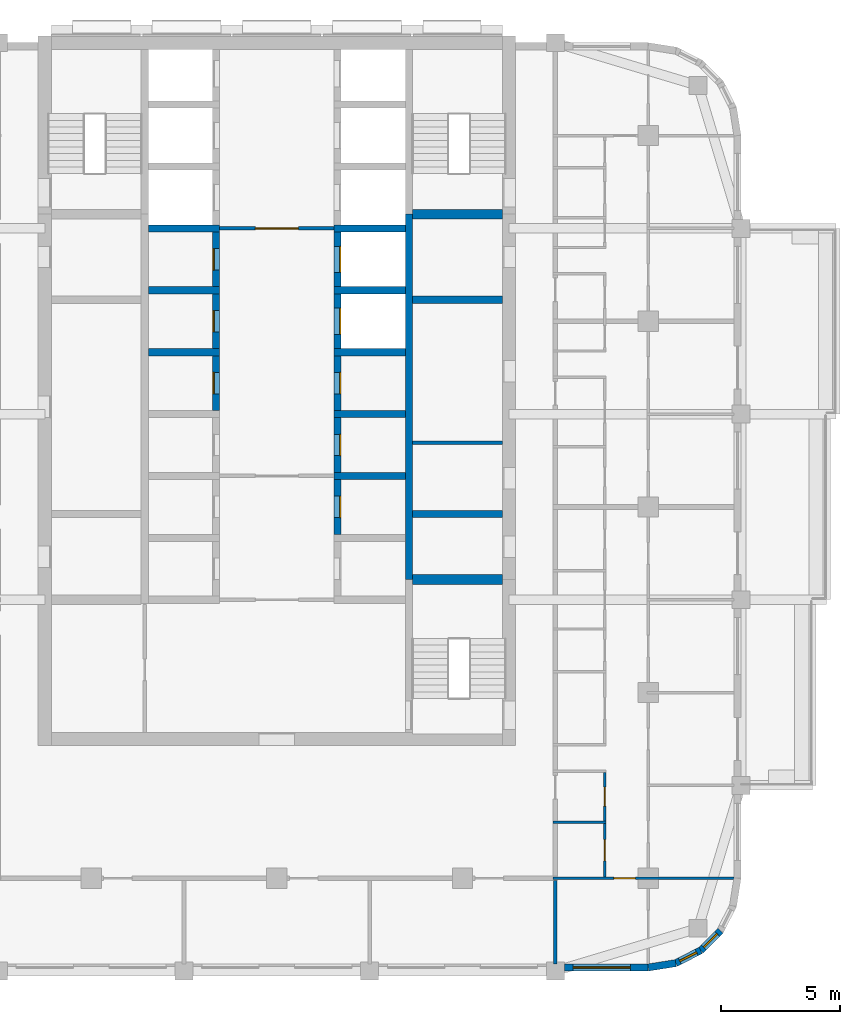
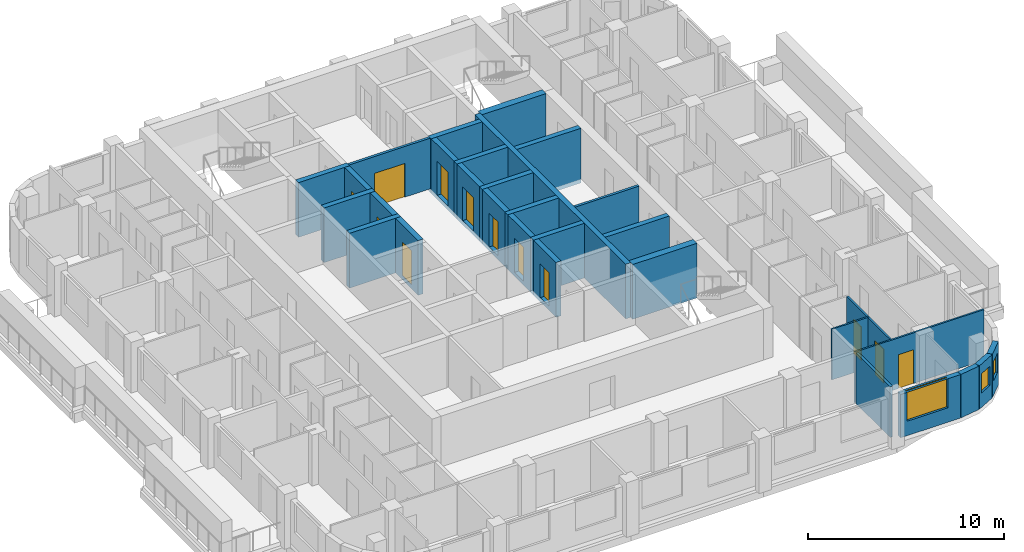
# One storey, part 5 of 13: 31 walls, 12 doors, 3 windows, 15 openings.
"""IFC4 building model written with IfcOpenShell, lengths in metres."""

import ifcopenshell
import ifcopenshell.guid

model = None  # the IFC model being written
_history = None  # IfcOwnerHistory: only IFC2X3 demands one
_inside = {}  # id of a spatial element -> (the spatial element, [elements in it])
_under = {}  # id of a project, library or spatial element -> (it, [spatial elements below it])
_declared = {}  # id of a project -> (the project, [libraries it declares])
_typed = {}  # id of a type object -> (the type object, [elements of that type])
_made_of = {}  # id of a material, layer set ... -> (it, [elements and type objects made of it])


def new_model(schema):
    """Start an empty IFC model of exactly this schema.

    Asked for "IFC4X3", IfcOpenShell would pick the latest addendum, in which some entities
    have other attributes; the version numbers below select the first issue.
    IFC2X3 requires an IfcOwnerHistory on every rooted entity: one is made here for all.
    """
    global model, _history
    if schema == "IFC4X3":
        model = ifcopenshell.file(schema_version=(4, 3, 0, 0))
    else:
        model = ifcopenshell.file(schema=schema)
    _inside.clear()
    _under.clear()
    _declared.clear()
    _typed.clear()
    _made_of.clear()
    _history = None
    if model.schema == "IFC2X3":
        org = make("IfcOrganization", Name="unknown")
        user = make(
            "IfcPersonAndOrganization",
            ThePerson=make("IfcPerson", FamilyName="unknown"),
            TheOrganization=org,
        )
        app = make(
            "IfcApplication",
            ApplicationDeveloper=org,
            Version="unknown",
            ApplicationFullName="unknown",
            ApplicationIdentifier="unknown",
        )
        _history = make(
            "IfcOwnerHistory",
            OwningUser=user,
            OwningApplication=app,
            ChangeAction="ADDED",
            CreationDate=0,
        )
    return model


def make(cls, **values):
    """One entity of the class cls with the attributes given. An attribute that is None is left unset."""
    return model.create_entity(
        cls, **{name: value for name, value in values.items() if value is not None}
    )


def rooted(cls, **values):
    """An entity with a GlobalId (a new one), such as an element, a storey or a relation."""
    return make(cls, GlobalId=ifcopenshell.guid.new(), OwnerHistory=_history, **values)


def si_unit(unit_type, name, prefix=None):
    """IfcSIUnit, for example si_unit("LENGTHUNIT", "METRE", prefix="MILLI")."""
    return make("IfcSIUnit", UnitType=unit_type, Prefix=prefix, Name=name)


def assignment(units):
    """IfcUnitAssignment: the units of a project."""
    return None if units is None else make("IfcUnitAssignment", Units=units)


def point(xyz):
    """IfcCartesianPoint."""
    return None if xyz is None else make("IfcCartesianPoint", Coordinates=xyz)


def direction(xyz):
    """IfcDirection."""
    return None if xyz is None else make("IfcDirection", DirectionRatios=xyz)


def frame(location, z_axis=None, x_axis=None):
    """IfcAxis2Placement3D, a coordinate frame: its origin and axes. An axis left out is left unset."""
    return make(
        "IfcAxis2Placement3D",
        Location=point(location),
        Axis=direction(z_axis),
        RefDirection=direction(x_axis),
    )


def frame_2d(location, x_axis=None):
    """IfcAxis2Placement2D, a coordinate frame in the plane: its origin and x axis."""
    return make(
        "IfcAxis2Placement2D", Location=point(location), RefDirection=direction(x_axis)
    )


def origin():
    """The frame at (0, 0, 0) with its axes left unset."""
    return frame((0.0, 0.0, 0.0))


def place(relative_to, where):
    """IfcLocalPlacement: puts the frame where relative to a parent placement (None: the world)."""
    return make(
        "IfcLocalPlacement", PlacementRelTo=relative_to, RelativePlacement=where
    )


def context(
    kind, dimensions, precision=None, world=None, true_north=None, identifier=None
):
    """IfcGeometricRepresentationContext, for example the 3D "Model" context."""
    return make(
        "IfcGeometricRepresentationContext",
        ContextIdentifier=identifier,
        ContextType=kind,
        CoordinateSpaceDimension=dimensions,
        Precision=precision,
        WorldCoordinateSystem=world,
        TrueNorth=true_north,
    )


def subcontext(parent, identifier, kind, view, scale=None):
    """IfcGeometricRepresentationSubContext, for example "Body" below "Model"."""
    return make(
        "IfcGeometricRepresentationSubContext",
        ContextIdentifier=identifier,
        ContextType=kind,
        ParentContext=parent,
        TargetScale=scale,
        TargetView=view,
    )


def project(units=None, contexts=None):
    """IfcProject with its units and contexts."""
    return rooted(
        "IfcProject",
        Name="project",
        RepresentationContexts=contexts,
        UnitsInContext=assignment(units),
    )


def spatial(cls, under=None, at=None, **own):
    """A site, building, storey or space (cls), placed at a placement, below another one or the project."""
    s = rooted(cls, ObjectPlacement=at, **own)
    if under is not None:
        _under.setdefault(under.id(), (under, []))[1].append(s)
    return s


def profile(cls, at=None, kind="AREA", **sizes):
    """A parametric profile (cls). Its sizes go by their IFC names, for example OverallWidth=200.0."""
    return make(cls, ProfileType=kind, Position=at, **sizes)


def rectangle(**sizes):
    """IfcRectangleProfileDef."""
    return profile("IfcRectangleProfileDef", **sizes)


def extrude(swept, where, along, depth):
    """IfcExtrudedAreaSolid: the profile swept, set in the frame where, extruded along a direction by depth."""
    return make(
        "IfcExtrudedAreaSolid",
        SweptArea=swept,
        Position=where,
        ExtrudedDirection=direction(along),
        Depth=depth,
    )


def shape(context_of_items, identifier, shape_type, items):
    """IfcShapeRepresentation: the items that make up one representation, for example the "Body"."""
    return make(
        "IfcShapeRepresentation",
        ContextOfItems=context_of_items,
        RepresentationIdentifier=identifier,
        RepresentationType=shape_type,
        Items=items,
    )


def material(Name=None, Category=None):
    """IfcMaterial."""
    return make("IfcMaterial", Name=Name, Category=Category)


def layer(
    of_material, thickness, ventilated=None, Name=None, Category=None, Priority=None
):
    """IfcMaterialLayer: one layer of a wall or slab, of a material (None: an air gap)."""
    return make(
        "IfcMaterialLayer",
        Material=of_material,
        LayerThickness=thickness,
        IsVentilated=ventilated,
        Name=Name,
        Category=Category,
        Priority=Priority,
    )


def layer_set(layers, Name=None):
    """IfcMaterialLayerSet."""
    return make("IfcMaterialLayerSet", MaterialLayers=layers, LayerSetName=Name)


def made_of(thing, what):
    """Note that an element or type object is made of a material, layer set ...; save() writes the relation."""
    if what is not None:
        _made_of.setdefault(what.id(), (what, []))[1].append(thing)
    return thing


def type_object(cls, material=None, **own):
    """A type object (cls), such as IfcWallType, which elements share."""
    return made_of(rooted(cls, **own), material)


def element(
    cls,
    number,
    at=None,
    inside=None,
    cuts=None,
    type_object=None,
    material=None,
    context=None,
    identifier="Body",
    shape_type=None,
    held_by="IfcProductDefinitionShape",
    body=None,
    shapes=None,
    **own,
):
    """One element of the class cls, such as IfcWall. Its Tag is "e" and its number.

    at: its placement. inside: the storey or other place that contains it. cuts: it is an
    opening in that element (IfcRelVoidsElement). A single representation is given by context,
    identifier, shape_type and body (its items); several are given by shapes. held_by: the class
    of the entity that holds the representations. save() writes the other relations.
    """
    e = rooted(cls, Tag="e%d" % number, ObjectPlacement=at, **own)
    if body is not None:
        shapes = [shape(context, identifier, shape_type, body)]
    if shapes is not None:
        e.Representation = make(held_by, Representations=shapes)
    if inside is not None:
        _inside.setdefault(inside.id(), (inside, []))[1].append(e)
    if cuts is not None:
        rooted(
            "IfcRelVoidsElement", RelatingBuildingElement=cuts, RelatedOpeningElement=e
        )
    if type_object is not None:
        _typed.setdefault(type_object.id(), (type_object, []))[1].append(e)
    return made_of(e, material)


def fill(opening, filler):
    """IfcRelFillsElement: the door or window that sits in an opening."""
    return rooted(
        "IfcRelFillsElement",
        RelatingOpeningElement=opening,
        RelatedBuildingElement=filler,
    )


def aggregate(whole, parts):
    """IfcRelAggregates: a whole, such as a stair, and the parts it consists of."""
    return rooted("IfcRelAggregates", RelatingObject=whole, RelatedObjects=parts)


def save(model, path):
    """Write the relations noted so far, then the file.

    IfcRelAggregates (storeys below a building ...), IfcRelContainedInSpatialStructure (elements
    in a storey), IfcRelDefinesByType, IfcRelAssociatesMaterial and IfcRelDeclares: one each for
    every whole, place, type object, material and project.
    """
    for whole, parts in _under.values():
        aggregate(whole, parts)
    for where, things in _inside.values():
        rooted(
            "IfcRelContainedInSpatialStructure",
            RelatedElements=things,
            RelatingStructure=where,
        )
    for kind, things in _typed.values():
        rooted("IfcRelDefinesByType", RelatedObjects=things, RelatingType=kind)
    for what, things in _made_of.values():
        rooted("IfcRelAssociatesMaterial", RelatedObjects=things, RelatingMaterial=what)
    for by, libraries in _declared.values():
        rooted("IfcRelDeclares", RelatingContext=by, RelatedDefinitions=libraries)
    model.write(path)


model = new_model("IFC4")

# Units and contexts
model_context = context("Model", 3, precision=1e-05, world=origin(), true_north=direction((0.0, 1.0)))
body_context = subcontext(model_context, "Body", "Model", "MODEL_VIEW")
ifc_project = project(units=[si_unit("LENGTHUNIT", "METRE"), si_unit("AREAUNIT", "SQUARE_METRE"), si_unit("VOLUMEUNIT", "CUBIC_METRE"), si_unit("PLANEANGLEUNIT", "RADIAN"), si_unit("MASSUNIT", "GRAM", prefix="KILO")], contexts=[model_context])

# Site, building, storey
site_placement = place(None, origin())
site = spatial("IfcSite", under=ifc_project, at=site_placement, CompositionType="ELEMENT")
building_placement = place(site_placement, origin())
building = spatial("IfcBuilding", under=site, at=building_placement, Name="Ludao Terraces", CompositionType="ELEMENT")
storey_placement = place(building_placement, frame((0.0, 0.0, 152.0)))
storey = spatial("IfcBuildingStorey", under=building, at=storey_placement, Name="L41", CompositionType="ELEMENT", Elevation=152.0)

# Wall, opening, window
ifc_material_1 = material(Name="Granite cladding", Category="masonry")
ifc_layer_1 = layer(ifc_material_1, 0.0400390625, Category="stone")
ifc_material_2 = material(Name="Mineral wool")
ifc_layer_2 = layer(ifc_material_2, 0.06005859375)
ifc_material_3 = material(Name="Concrete C40", Category="concrete")
ifc_layer_3 = layer(ifc_material_3, 0.199951171875, Category="concrete")
ifc_layer_set_1 = layer_set([ifc_layer_1, ifc_layer_2, ifc_layer_3], Name="ENV Stone-clad wall 300")
wall_type_1 = type_object("IfcWallType", Name="ENV Stone-clad wall 300", PredefinedType="SOLIDWALL", material=ifc_layer_set_1)
wall_1_placement = place(storey_placement, frame((97.074951171875, 45.64990234375, 0.0), z_axis=(0.0, 0.0, 1.0), x_axis=(1.0, 0.0, 0.0)))
wall_1 = element("IfcWall", 1, at=wall_1_placement, inside=storey, type_object=wall_type_1, Name="EW-L41-S5", PredefinedType="SOLIDWALL", context=body_context, shape_type="SweptSolid", body=[
    extrude(rectangle(XDim=3.525146484375, YDim=0.300048828125, at=frame_2d((1.7626953125, 0.0))), origin(), (0.0, 0.0, 1.0), 2.699951171875),
])
opening_1_placement = place(wall_1_placement, frame((0.375, 0.0, 0.89990234375)))
opening_1 = element("IfcOpeningElement", 2, at=opening_1_placement, cuts=wall_1, Name="Opening W1", PredefinedType="OPENING", context=body_context, shape_type="SweptSolid", body=[
    extrude(rectangle(XDim=2.39990234375, YDim=1.800048828125, at=frame_2d((1.199951171875, 0.89990234375))), frame((0.0, 0.16015625, 0.0), z_axis=(0.0, -1.0, 0.0), x_axis=(1.0, 0.0, 0.0)), (0.0, 0.0, 1.0), 0.320068359375),
])
ifc_material_4 = material(Name="Clear glass in aluminium frame", Category="aluminium")
ifc_layer_4 = layer(ifc_material_4, 0.06005859375)
ifc_layer_set_2 = layer_set([ifc_layer_4], Name="ENV Window W1 2400x1800")
window_type_1 = type_object("IfcWindowType", Name="ENV Window W1 2400x1800", PartitioningType="DOUBLE_PANEL_VERTICAL", PredefinedType="WINDOW", material=ifc_layer_set_2)
window_1_placement = place(opening_1_placement, origin())
window_1 = element("IfcWindow", 3, at=window_1_placement, inside=storey, type_object=window_type_1, Name="W-L41-S5-1", OverallHeight=1.800048828125, OverallWidth=2.39990234375, PartitioningType="DOUBLE_PANEL_VERTICAL", PredefinedType="WINDOW", context=body_context, shape_type="SweptSolid", body=[
    extrude(rectangle(XDim=2.39990234375, YDim=1.800048828125, at=frame_2d((1.199951171875, 0.89990234375))), frame((0.0, 0.030029296875, 0.0), z_axis=(0.0, -1.0, 0.0), x_axis=(1.0, 0.0, 0.0)), (0.0, 0.0, 1.0), 0.06005859375),
])
fill(opening_1, window_1)

# Wall
wall_2_placement = place(storey_placement, frame((100.60009765625, 45.64990234375, 0.0), z_axis=(0.0, 0.0, 1.0), x_axis=(0.987678452879, 0.156496880861, 0.0)))
element("IfcWall", 4, at=wall_2_placement, inside=storey, type_object=wall_type_1, Name="EW-L41-SE1", PredefinedType="SOLIDWALL", context=body_context, shape_type="SweptSolid", body=[
    extrude(rectangle(XDim=1.173095703125, YDim=0.300048828125, at=frame_2d((0.58642578125, 0.0))), origin(), (0.0, 0.0, 1.0), 2.699951171875),
])

# Wall, opening, window
wall_3_placement = place(storey_placement, frame((101.7587890625, 45.83349609375, 0.0), z_axis=(0.0, 0.0, 1.0), x_axis=(0.890988677504, 0.454025524128, 0.0)))
wall_3 = element("IfcWall", 5, at=wall_3_placement, inside=storey, type_object=wall_type_1, Name="EW-L41-SE2", PredefinedType="SOLIDWALL", context=body_context, shape_type="SweptSolid", body=[
    extrude(rectangle(XDim=1.17333984375, YDim=0.300048828125, at=frame_2d((0.586669921875, 0.0))), origin(), (0.0, 0.0, 1.0), 2.699951171875),
])
opening_2_placement = place(wall_3_placement, frame((0.1865234375, 0.0, 0.89990234375)))
opening_2 = element("IfcOpeningElement", 6, at=opening_2_placement, cuts=wall_3, Name="Opening W3", PredefinedType="OPENING", context=body_context, shape_type="SweptSolid", body=[
    extrude(rectangle(XDim=0.800048828125, YDim=1.199951171875, at=frame_2d((0.39990234375, 0.60009765625))), frame((0.0, 0.16015625, 0.0), z_axis=(0.0, -1.0, 0.0), x_axis=(1.0, 0.0, 0.0)), (0.0, 0.0, 1.0), 0.320068359375),
])
ifc_layer_5 = layer(ifc_material_4, 0.06005859375)
ifc_layer_set_3 = layer_set([ifc_layer_5], Name="ENV Window W3 800x1200")
window_type_2 = type_object("IfcWindowType", Name="ENV Window W3 800x1200", PartitioningType="SINGLE_PANEL", PredefinedType="WINDOW", material=ifc_layer_set_3)
window_2_placement = place(opening_2_placement, origin())
window_2 = element("IfcWindow", 7, at=window_2_placement, inside=storey, type_object=window_type_2, Name="W-L41-SE2", OverallHeight=1.199951171875, OverallWidth=0.800048828125, PartitioningType="SINGLE_PANEL", PredefinedType="WINDOW", context=body_context, shape_type="SweptSolid", body=[
    extrude(rectangle(XDim=0.800048828125, YDim=1.199951171875, at=frame_2d((0.39990234375, 0.60009765625))), frame((0.0, 0.030029296875, 0.0), z_axis=(0.0, -1.0, 0.0), x_axis=(1.0, 0.0, 0.0)), (0.0, 0.0, 1.0), 0.06005859375),
])
fill(opening_2, window_2)

wall_4_placement = place(storey_placement, frame((102.80419921875, 46.3662109375, 0.0), z_axis=(0.0, 0.0, 1.0), x_axis=(0.707106781187, 0.707106781187, 0.0)))
wall_4 = element("IfcWall", 8, at=wall_4_placement, inside=storey, type_object=wall_type_1, Name="EW-L41-SE3", PredefinedType="SOLIDWALL", context=body_context, shape_type="SweptSolid", body=[
    extrude(rectangle(XDim=1.173095703125, YDim=0.300048828125, at=frame_2d((0.58642578125, 0.0))), origin(), (0.0, 0.0, 1.0), 2.699951171875),
])
opening_3_placement = place(wall_4_placement, frame((0.1865234375, 0.0, 0.89990234375)))
opening_3 = element("IfcOpeningElement", 9, at=opening_3_placement, cuts=wall_4, Name="Opening W3", PredefinedType="OPENING", context=body_context, shape_type="SweptSolid", body=[
    extrude(rectangle(XDim=0.800048828125, YDim=1.199951171875, at=frame_2d((0.39990234375, 0.60009765625))), frame((0.0, 0.16015625, 0.0), z_axis=(0.0, -1.0, 0.0), x_axis=(1.0, 0.0, 0.0)), (0.0, 0.0, 1.0), 0.320068359375),
])
window_3_placement = place(opening_3_placement, origin())
window_3 = element("IfcWindow", 10, at=window_3_placement, inside=storey, type_object=window_type_2, Name="W-L41-SE3", OverallHeight=1.199951171875, OverallWidth=0.800048828125, PartitioningType="SINGLE_PANEL", PredefinedType="WINDOW", context=body_context, shape_type="SweptSolid", body=[
    extrude(rectangle(XDim=0.800048828125, YDim=1.199951171875, at=frame_2d((0.39990234375, 0.60009765625))), frame((0.0, 0.030029296875, 0.0), z_axis=(0.0, -1.0, 0.0), x_axis=(1.0, 0.0, 0.0)), (0.0, 0.0, 1.0), 0.06005859375),
])
fill(opening_3, window_3)

# Wall
ifc_material_5 = material(Name="Fire-rated gypsum plasterboard", Category="gypsum")
ifc_layer_6 = layer(ifc_material_5, 0.012451171875, Category="gypsum")
ifc_layer_7 = layer(ifc_material_2, 0.10009765625, Name="insulation")
ifc_material_6 = material(Name="Steel Q235", Category="steel")
ifc_layer_8 = layer(ifc_material_6, 0.02490234375, Name="stud")
ifc_layer_9 = layer(ifc_material_5, 0.012451171875, Category="gypsum")
ifc_layer_set_4 = layer_set([ifc_layer_6, ifc_layer_7, ifc_layer_8, ifc_layer_9], Name="INT Core partition 150")
wall_type_2 = type_object("IfcWallType", Name="INT Core partition 150", PredefinedType="PARTITIONING", material=ifc_layer_set_4)
wall_5_placement = place(storey_placement, frame((90.7001953125, 67.699951171875, 0.0), z_axis=(0.0, 0.0, 1.0), x_axis=(1.0, 0.0, 0.0)))
element("IfcWall", 11, at=wall_5_placement, inside=storey, type_object=wall_type_2, Name="PW-L41-PW027", PredefinedType="PARTITIONING", context=body_context, shape_type="SweptSolid", body=[
    extrude(rectangle(XDim=3.77490234375, YDim=0.14990234375, at=frame_2d((1.887451171875, 0.0))), origin(), (0.0, 0.0, 1.0), 3.14990234375),
])

# Wall, opening, door
wall_6_placement = place(storey_placement, frame((82.60009765625, 76.699951171875, 0.0), z_axis=(0.0, 0.0, 1.0), x_axis=(1.0, 0.0, 0.0)))
wall_6 = element("IfcWall", 12, at=wall_6_placement, inside=storey, type_object=wall_type_2, Name="PW-L41-PW040", PredefinedType="PARTITIONING", context=body_context, shape_type="SweptSolid", body=[
    extrude(rectangle(XDim=4.800048828125, YDim=0.14990234375, at=frame_2d((2.39990234375, 0.0))), origin(), (0.0, 0.0, 1.0), 3.14990234375),
])
opening_4_placement = place(wall_6_placement, frame((1.5, 0.0, 0.0)))
opening_4 = element("IfcOpeningElement", 13, at=opening_4_placement, cuts=wall_6, Name="Opening R14-074", PredefinedType="OPENING", context=body_context, shape_type="SweptSolid", body=[
    extrude(rectangle(XDim=1.800048828125, YDim=2.10009765625, at=frame_2d((0.89990234375, 1.050048828125))), frame((0.0, 0.0849609375, 0.0), z_axis=(0.0, -1.0, 0.0), x_axis=(1.0, 0.0, 0.0)), (0.0, 0.0, 1.0), 0.169921875),
])
door_type_1 = type_object("IfcDoorType", Name="INT Fire lobby door 1800", OperationType="DOUBLE_DOOR_SINGLE_SWING", PredefinedType="DOOR", material=ifc_material_6)
door_1_placement = place(opening_4_placement, origin())
door_1 = element("IfcDoor", 14, at=door_1_placement, inside=storey, type_object=door_type_1, Name="DOOR 074", OperationType="DOUBLE_DOOR_SINGLE_SWING", OverallHeight=2.10009765625, OverallWidth=1.800048828125, PredefinedType="DOOR", context=body_context, shape_type="SweptSolid", body=[
    extrude(rectangle(XDim=1.800048828125, YDim=2.10009765625, at=frame_2d((0.89990234375, 1.050048828125))), frame((0.0, 0.02490234375, 0.0), z_axis=(0.0, -1.0, 0.0), x_axis=(1.0, 0.0, 0.0)), (0.0, 0.0, 1.0), 0.050048828125),
])
fill(opening_4, door_1)

ifc_material_7 = material(Name="Gypsum plasterboard", Category="gypsum")
ifc_layer_10 = layer(ifc_material_7, 0.012451171875, Category="gypsum")
ifc_layer_11 = layer(ifc_material_2, 0.06005859375, Name="insulation")
ifc_layer_12 = layer(ifc_material_6, 0.014892578125, Name="stud")
ifc_layer_13 = layer(ifc_material_7, 0.012451171875, Category="gypsum")
ifc_layer_set_5 = layer_set([ifc_layer_10, ifc_layer_11, ifc_layer_12, ifc_layer_13], Name="INT Partition 100")
wall_type_3 = type_object("IfcWallType", Name="INT Partition 100", PredefinedType="PARTITIONING", material=ifc_layer_set_5)
wall_7_placement = place(storey_placement, frame((96.60009765625, 49.39990234375, 0.0), z_axis=(0.0, 0.0, 1.0), x_axis=(1.0, 0.0, 0.0)))
wall_7 = element("IfcWall", 15, at=wall_7_placement, inside=storey, type_object=wall_type_3, Name="PW-L41-PW002", PredefinedType="PARTITIONING", context=body_context, shape_type="SweptSolid", body=[
    extrude(rectangle(XDim=7.60009765625, YDim=0.10009765625, at=frame_2d((3.800048828125, 0.0))), origin(), (0.0, 0.0, 1.0), 3.14990234375),
])
opening_5_placement = place(wall_7_placement, frame((2.56005859375, 0.0, 0.0)))
opening_5 = element("IfcOpeningElement", 16, at=opening_5_placement, cuts=wall_7, Name="Opening R14-007", PredefinedType="OPENING", context=body_context, shape_type="SweptSolid", body=[
    extrude(rectangle(XDim=0.89990234375, YDim=2.10009765625, at=frame_2d((0.449951171875, 1.050048828125))), frame((0.0, 0.06005859375, 0.0), z_axis=(0.0, -1.0, 0.0), x_axis=(1.0, 0.0, 0.0)), (0.0, 0.0, 1.0), 0.1201171875),
])
ifc_material_8 = material(Name="Timber door leaf", Category="wood")
door_type_2 = type_object("IfcDoorType", Name="INT Room door 900", OperationType="SINGLE_SWING_LEFT", PredefinedType="DOOR", material=ifc_material_8)
door_2_placement = place(opening_5_placement, origin())
door_2 = element("IfcDoor", 17, at=door_2_placement, inside=storey, type_object=door_type_2, Name="DOOR 007", OperationType="SINGLE_SWING_LEFT", OverallHeight=2.10009765625, OverallWidth=0.89990234375, PredefinedType="DOOR", context=body_context, shape_type="SweptSolid", body=[
    extrude(rectangle(XDim=0.89990234375, YDim=2.10009765625, at=frame_2d((0.449951171875, 1.050048828125))), frame((0.0, 0.02490234375, 0.0), z_axis=(0.0, -1.0, 0.0), x_axis=(1.0, 0.0, 0.0)), (0.0, 0.0, 1.0), 0.050048828125),
])
fill(opening_5, door_2)

# Wall
wall_8_placement = place(storey_placement, frame((96.60009765625, 51.75, 0.0), z_axis=(0.0, 0.0, 1.0), x_axis=(1.0, 0.0, 0.0)))
element("IfcWall", 18, at=wall_8_placement, inside=storey, type_object=wall_type_3, Name="PW-L41-PW004", PredefinedType="PARTITIONING", context=body_context, shape_type="SweptSolid", body=[
    extrude(rectangle(XDim=2.219970703125, YDim=0.10009765625, at=frame_2d((1.10986328125, 0.0))), origin(), (0.0, 0.0, 1.0), 3.14990234375),
])

# Wall, openings, doors
wall_9_placement = place(storey_placement, frame((98.77001953125, 49.4501953125, 0.0), z_axis=(0.0, 0.0, 1.0), x_axis=(0.0, 1.0, 0.0)))
wall_9 = element("IfcWall", 19, at=wall_9_placement, inside=storey, type_object=wall_type_3, Name="PW-L41-PW060", PredefinedType="PARTITIONING", context=body_context, shape_type="SweptSolid", body=[
    extrude(rectangle(XDim=4.39990234375, YDim=0.10009765625, at=frame_2d((2.199951171875, 0.0))), origin(), (0.0, 0.0, 1.0), 3.14990234375),
])
opening_6_placement = place(wall_9_placement, frame((0.6748046875, 0.0, 0.0)))
opening_6 = element("IfcOpeningElement", 20, at=opening_6_placement, cuts=wall_9, Name="Opening R14-009", PredefinedType="OPENING", context=body_context, shape_type="SweptSolid", body=[
    extrude(rectangle(XDim=0.89990234375, YDim=2.10009765625, at=frame_2d((0.449951171875, 1.050048828125))), frame((0.0, 0.06005859375, 0.0), z_axis=(0.0, -1.0, 0.0), x_axis=(1.0, 0.0, 0.0)), (0.0, 0.0, 1.0), 0.1201171875),
])
opening_7_placement = place(wall_9_placement, frame((2.974853515625, 0.0, 0.0)))
opening_7 = element("IfcOpeningElement", 21, at=opening_7_placement, cuts=wall_9, Name="Opening R14-012", PredefinedType="OPENING", context=body_context, shape_type="SweptSolid", body=[
    extrude(rectangle(XDim=0.800048828125, YDim=2.10009765625, at=frame_2d((0.39990234375, 1.050048828125))), frame((0.0, 0.06005859375, 0.0), z_axis=(0.0, -1.0, 0.0), x_axis=(1.0, 0.0, 0.0)), (0.0, 0.0, 1.0), 0.1201171875),
])
door_type_3 = type_object("IfcDoorType", Name="INT Bathroom door 900", OperationType="SINGLE_SWING_LEFT", PredefinedType="DOOR", material=ifc_material_8)
door_3_placement = place(opening_6_placement, origin())
door_3 = element("IfcDoor", 22, at=door_3_placement, inside=storey, type_object=door_type_3, Name="DOOR 009", OperationType="SINGLE_SWING_LEFT", OverallHeight=2.10009765625, OverallWidth=0.89990234375, PredefinedType="DOOR", context=body_context, shape_type="SweptSolid", body=[
    extrude(rectangle(XDim=0.89990234375, YDim=2.10009765625, at=frame_2d((0.449951171875, 1.050048828125))), frame((0.0, 0.02490234375, 0.0), z_axis=(0.0, -1.0, 0.0), x_axis=(1.0, 0.0, 0.0)), (0.0, 0.0, 1.0), 0.050048828125),
])
fill(opening_6, door_3)
door_type_4 = type_object("IfcDoorType", Name="INT Store door 800", OperationType="SINGLE_SWING_LEFT", PredefinedType="DOOR", material=ifc_material_8)
door_4_placement = place(opening_7_placement, origin())
door_4 = element("IfcDoor", 23, at=door_4_placement, inside=storey, type_object=door_type_4, Name="DOOR 012", OperationType="SINGLE_SWING_LEFT", OverallHeight=2.10009765625, OverallWidth=0.800048828125, PredefinedType="DOOR", context=body_context, shape_type="SweptSolid", body=[
    extrude(rectangle(XDim=0.800048828125, YDim=2.10009765625, at=frame_2d((0.39990234375, 1.050048828125))), frame((0.0, 0.02490234375, 0.0), z_axis=(0.0, -1.0, 0.0), x_axis=(1.0, 0.0, 0.0)), (0.0, 0.0, 1.0), 0.050048828125),
])
fill(opening_7, door_4)

# Walls
ifc_material_9 = material(Name="Autoclaved aerated concrete block B06 A3.5", Category="concrete")
ifc_layer_14 = layer(ifc_material_9, 0.14990234375)
ifc_layer_set_6 = layer_set([ifc_layer_14], Name="INT Party wall 150")
wall_type_4 = type_object("IfcWallType", Name="INT Party wall 150", PredefinedType="PARTITIONING", material=ifc_layer_set_6)
wall_10_placement = place(storey_placement, frame((96.699951171875, 45.800048828125, 0.0), z_axis=(0.0, 0.0, 1.0), x_axis=(0.0, 1.0, 0.0)))
element("IfcWall", 24, at=wall_10_placement, inside=storey, type_object=wall_type_4, Name="PW-L41-PW058", PredefinedType="PARTITIONING", context=body_context, shape_type="SweptSolid", body=[
    extrude(rectangle(XDim=3.5, YDim=0.14990234375, at=frame_2d((1.75, 0.0))), origin(), (0.0, 0.0, 1.0), 3.14990234375),
])
ifc_material_10 = material(Name="Concrete C55", Category="concrete")
ifc_layer_15 = layer(ifc_material_10, 0.300048828125)
ifc_layer_set_7 = layer_set([ifc_layer_15], Name="Shaft wall 300 C55")
wall_type_5 = type_object("IfcWallType", Name="Shaft wall 300 C55", PredefinedType="SOLIDWALL", material=ifc_layer_set_7)
wall_11_placement = place(storey_placement, frame((90.550048828125, 61.949951171875, -0.25), z_axis=(0.0, 0.0, 1.0), x_axis=(0.0, 1.0, 0.0)))
element("IfcWall", 25, at=wall_11_placement, inside=storey, type_object=wall_type_5, Name="Core wall L41 back-E", PredefinedType="SOLIDWALL", context=body_context, shape_type="SweptSolid", body=[
    extrude(rectangle(XDim=15.35009765625, YDim=0.300048828125, at=frame_2d((7.675048828125, 0.0))), origin(), (0.0, 0.0, 1.0), 3.39990234375),
])

# Wall, opening, door
wall_12_placement = place(storey_placement, frame((82.449951171875, 69.050048828125, -0.25), z_axis=(0.0, 0.0, 1.0), x_axis=(0.0, 1.0, 0.0)))
wall_12 = element("IfcWall", 26, at=wall_12_placement, inside=storey, type_object=wall_type_5, Name="Core wall L41 front-W4", PredefinedType="SOLIDWALL", context=body_context, shape_type="SweptSolid", body=[
    extrude(rectangle(XDim=2.300048828125, YDim=0.300048828125, at=frame_2d((1.14990234375, 0.0))), origin(), (0.0, 0.0, 1.0), 3.39990234375),
])
opening_8_placement = place(wall_12_placement, frame((0.699951171875, 0.0, 0.25)))
opening_8 = element("IfcOpeningElement", 27, at=opening_8_placement, cuts=wall_12, Name="Opening R14-053", PredefinedType="OPENING", context=body_context, shape_type="SweptSolid", body=[
    extrude(rectangle(XDim=0.89990234375, YDim=2.10009765625, at=frame_2d((0.449951171875, 1.050048828125))), frame((0.0, 0.16015625, 0.0), z_axis=(0.0, -1.0, 0.0), x_axis=(1.0, 0.0, 0.0)), (0.0, 0.0, 1.0), 0.320068359375),
])
door_5_placement = place(opening_8_placement, origin())
door_5 = element("IfcDoor", 28, at=door_5_placement, inside=storey, type_object=door_type_2, Name="DOOR 053", OperationType="SINGLE_SWING_LEFT", OverallHeight=2.10009765625, OverallWidth=0.89990234375, PredefinedType="DOOR", context=body_context, shape_type="SweptSolid", body=[
    extrude(rectangle(XDim=0.89990234375, YDim=2.10009765625, at=frame_2d((0.449951171875, 1.050048828125))), frame((0.0, 0.13525390625, 0.0), z_axis=(0.0, -1.0, 0.0), x_axis=(1.0, 0.0, 0.0)), (0.0, 0.0, 1.0), 0.050048828125),
])
fill(opening_8, door_5)

# Wall
wall_13_placement = place(storey_placement, frame((79.60009765625, 71.5, -0.25), z_axis=(0.0, 0.0, 1.0), x_axis=(1.0, 0.0, 0.0)))
element("IfcWall", 29, at=wall_13_placement, inside=storey, type_object=wall_type_5, Name="Core wall L41 div-W5", PredefinedType="SOLIDWALL", context=body_context, shape_type="SweptSolid", body=[
    extrude(rectangle(XDim=3.0, YDim=0.300048828125, at=frame_2d((1.5, 0.0))), origin(), (0.0, 0.0, 1.0), 3.39990234375),
])

# Wall, opening, door
wall_14_placement = place(storey_placement, frame((82.449951171875, 71.64990234375, -0.25), z_axis=(0.0, 0.0, 1.0), x_axis=(0.0, 1.0, 0.0)))
wall_14 = element("IfcWall", 30, at=wall_14_placement, inside=storey, type_object=wall_type_5, Name="Core wall L41 front-W5", PredefinedType="SOLIDWALL", context=body_context, shape_type="SweptSolid", body=[
    extrude(rectangle(XDim=2.300048828125, YDim=0.300048828125, at=frame_2d((1.14990234375, 0.0))), origin(), (0.0, 0.0, 1.0), 3.39990234375),
])
opening_9_placement = place(wall_14_placement, frame((0.699951171875, 0.0, 0.25)))
opening_9 = element("IfcOpeningElement", 31, at=opening_9_placement, cuts=wall_14, Name="Opening R14-060", PredefinedType="OPENING", context=body_context, shape_type="SweptSolid", body=[
    extrude(rectangle(XDim=0.89990234375, YDim=2.10009765625, at=frame_2d((0.449951171875, 1.050048828125))), frame((0.0, 0.16015625, 0.0), z_axis=(0.0, -1.0, 0.0), x_axis=(1.0, 0.0, 0.0)), (0.0, 0.0, 1.0), 0.320068359375),
])
door_6_placement = place(opening_9_placement, origin())
door_6 = element("IfcDoor", 32, at=door_6_placement, inside=storey, type_object=door_type_2, Name="DOOR 060", OperationType="SINGLE_SWING_LEFT", OverallHeight=2.10009765625, OverallWidth=0.89990234375, PredefinedType="DOOR", context=body_context, shape_type="SweptSolid", body=[
    extrude(rectangle(XDim=0.89990234375, YDim=2.10009765625, at=frame_2d((0.449951171875, 1.050048828125))), frame((0.0, 0.13525390625, 0.0), z_axis=(0.0, -1.0, 0.0), x_axis=(1.0, 0.0, 0.0)), (0.0, 0.0, 1.0), 0.050048828125),
])
fill(opening_9, door_6)

# Wall
wall_15_placement = place(storey_placement, frame((79.60009765625, 74.10009765625, -0.25), z_axis=(0.0, 0.0, 1.0), x_axis=(1.0, 0.0, 0.0)))
element("IfcWall", 33, at=wall_15_placement, inside=storey, type_object=wall_type_5, Name="Core wall L41 div-W6", PredefinedType="SOLIDWALL", context=body_context, shape_type="SweptSolid", body=[
    extrude(rectangle(XDim=3.0, YDim=0.300048828125, at=frame_2d((1.5, 0.0))), origin(), (0.0, 0.0, 1.0), 3.39990234375),
])

# Wall, opening, door
wall_16_placement = place(storey_placement, frame((82.449951171875, 74.25, -0.25), z_axis=(0.0, 0.0, 1.0), x_axis=(0.0, 1.0, 0.0)))
wall_16 = element("IfcWall", 34, at=wall_16_placement, inside=storey, type_object=wall_type_5, Name="Core wall L41 front-W6", PredefinedType="SOLIDWALL", context=body_context, shape_type="SweptSolid", body=[
    extrude(rectangle(XDim=2.300048828125, YDim=0.300048828125, at=frame_2d((1.14990234375, 0.0))), origin(), (0.0, 0.0, 1.0), 3.39990234375),
])
opening_10_placement = place(wall_16_placement, frame((0.699951171875, 0.0, 0.25)))
opening_10 = element("IfcOpeningElement", 35, at=opening_10_placement, cuts=wall_16, Name="Opening R14-067", PredefinedType="OPENING", context=body_context, shape_type="SweptSolid", body=[
    extrude(rectangle(XDim=0.89990234375, YDim=2.10009765625, at=frame_2d((0.449951171875, 1.050048828125))), frame((0.0, 0.16015625, 0.0), z_axis=(0.0, -1.0, 0.0), x_axis=(1.0, 0.0, 0.0)), (0.0, 0.0, 1.0), 0.320068359375),
])
door_7_placement = place(opening_10_placement, origin())
door_7 = element("IfcDoor", 36, at=door_7_placement, inside=storey, type_object=door_type_2, Name="DOOR 067", OperationType="SINGLE_SWING_RIGHT", OverallHeight=2.10009765625, OverallWidth=0.89990234375, PredefinedType="DOOR", context=body_context, shape_type="SweptSolid", body=[
    extrude(rectangle(XDim=0.89990234375, YDim=2.10009765625, at=frame_2d((0.449951171875, 1.050048828125))), frame((0.0, 0.13525390625, 0.0), z_axis=(0.0, -1.0, 0.0), x_axis=(1.0, 0.0, 0.0)), (0.0, 0.0, 1.0), 0.050048828125),
])
fill(opening_10, door_7)

# Wall
wall_17_placement = place(storey_placement, frame((79.60009765625, 76.699951171875, -0.25), z_axis=(0.0, 0.0, 1.0), x_axis=(1.0, 0.0, 0.0)))
element("IfcWall", 37, at=wall_17_placement, inside=storey, type_object=wall_type_5, Name="Core wall L41 div-W7", PredefinedType="SOLIDWALL", context=body_context, shape_type="SweptSolid", body=[
    extrude(rectangle(XDim=3.0, YDim=0.300048828125, at=frame_2d((1.5, 0.0))), origin(), (0.0, 0.0, 1.0), 3.39990234375),
])

# Wall, opening, door
wall_18_placement = place(storey_placement, frame((87.550048828125, 63.85009765625, -0.25), z_axis=(0.0, 0.0, 1.0), x_axis=(0.0, 1.0, 0.0)))
wall_18 = element("IfcWall", 38, at=wall_18_placement, inside=storey, type_object=wall_type_5, Name="Core wall L41 front-E2", PredefinedType="SOLIDWALL", context=body_context, shape_type="SweptSolid", body=[
    extrude(rectangle(XDim=2.2998046875, YDim=0.300048828125, at=frame_2d((1.14990234375, 0.0))), origin(), (0.0, 0.0, 1.0), 3.39990234375),
])
opening_11_placement = place(wall_18_placement, frame((0.699951171875, 0.0, 0.25)))
opening_11 = element("IfcOpeningElement", 39, at=opening_11_placement, cuts=wall_18, Name="Opening R14-040", PredefinedType="OPENING", context=body_context, shape_type="SweptSolid", body=[
    extrude(rectangle(XDim=0.89990234375, YDim=2.10009765625, at=frame_2d((0.449951171875, 1.050048828125))), frame((0.0, 0.16015625, 0.0), z_axis=(0.0, -1.0, 0.0), x_axis=(1.0, 0.0, 0.0)), (0.0, 0.0, 1.0), 0.320068359375),
])
door_8_placement = place(opening_11_placement, origin())
door_8 = element("IfcDoor", 40, at=door_8_placement, inside=storey, type_object=door_type_2, Name="DOOR 040", OperationType="SINGLE_SWING_RIGHT", OverallHeight=2.10009765625, OverallWidth=0.89990234375, PredefinedType="DOOR", context=body_context, shape_type="SweptSolid", body=[
    extrude(rectangle(XDim=0.89990234375, YDim=2.10009765625, at=frame_2d((0.449951171875, 1.050048828125))), frame((0.0, -0.0849609375, 0.0), z_axis=(0.0, -1.0, 0.0), x_axis=(1.0, 0.0, 0.0)), (0.0, 0.0, 1.0), 0.050048828125),
])
fill(opening_11, door_8)

# Wall
wall_19_placement = place(storey_placement, frame((87.39990234375, 66.300048828125, -0.25), z_axis=(0.0, 0.0, 1.0), x_axis=(1.0, 0.0, 0.0)))
element("IfcWall", 41, at=wall_19_placement, inside=storey, type_object=wall_type_5, Name="Core wall L41 div-E3", PredefinedType="SOLIDWALL", context=body_context, shape_type="SweptSolid", body=[
    extrude(rectangle(XDim=3.0, YDim=0.300048828125, at=frame_2d((1.5, 0.0))), origin(), (0.0, 0.0, 1.0), 3.39990234375),
])

# Wall, opening, door
wall_20_placement = place(storey_placement, frame((87.550048828125, 66.449951171875, -0.25), z_axis=(0.0, 0.0, 1.0), x_axis=(0.0, 1.0, 0.0)))
wall_20 = element("IfcWall", 42, at=wall_20_placement, inside=storey, type_object=wall_type_5, Name="Core wall L41 front-E3", PredefinedType="SOLIDWALL", context=body_context, shape_type="SweptSolid", body=[
    extrude(rectangle(XDim=2.300048828125, YDim=0.300048828125, at=frame_2d((1.14990234375, 0.0))), origin(), (0.0, 0.0, 1.0), 3.39990234375),
])
opening_12_placement = place(wall_20_placement, frame((0.699951171875, 0.0, 0.25)))
opening_12 = element("IfcOpeningElement", 43, at=opening_12_placement, cuts=wall_20, Name="Opening R14-048", PredefinedType="OPENING", context=body_context, shape_type="SweptSolid", body=[
    extrude(rectangle(XDim=0.89990234375, YDim=2.10009765625, at=frame_2d((0.449951171875, 1.050048828125))), frame((0.0, 0.16015625, 0.0), z_axis=(0.0, -1.0, 0.0), x_axis=(1.0, 0.0, 0.0)), (0.0, 0.0, 1.0), 0.320068359375),
])
door_9_placement = place(opening_12_placement, origin())
door_9 = element("IfcDoor", 44, at=door_9_placement, inside=storey, type_object=door_type_2, Name="DOOR 048", OperationType="SINGLE_SWING_LEFT", OverallHeight=2.10009765625, OverallWidth=0.89990234375, PredefinedType="DOOR", context=body_context, shape_type="SweptSolid", body=[
    extrude(rectangle(XDim=0.89990234375, YDim=2.10009765625, at=frame_2d((0.449951171875, 1.050048828125))), frame((0.0, -0.0849609375, 0.0), z_axis=(0.0, -1.0, 0.0), x_axis=(1.0, 0.0, 0.0)), (0.0, 0.0, 1.0), 0.050048828125),
])
fill(opening_12, door_9)

# Wall
wall_21_placement = place(storey_placement, frame((87.39990234375, 68.89990234375, -0.25), z_axis=(0.0, 0.0, 1.0), x_axis=(1.0, 0.0, 0.0)))
element("IfcWall", 45, at=wall_21_placement, inside=storey, type_object=wall_type_5, Name="Core wall L41 div-E4", PredefinedType="SOLIDWALL", context=body_context, shape_type="SweptSolid", body=[
    extrude(rectangle(XDim=3.0, YDim=0.300048828125, at=frame_2d((1.5, 0.0))), origin(), (0.0, 0.0, 1.0), 3.39990234375),
])

# Wall, opening, door
wall_22_placement = place(storey_placement, frame((87.550048828125, 69.050048828125, -0.25), z_axis=(0.0, 0.0, 1.0), x_axis=(0.0, 1.0, 0.0)))
wall_22 = element("IfcWall", 46, at=wall_22_placement, inside=storey, type_object=wall_type_5, Name="Core wall L41 front-E4", PredefinedType="SOLIDWALL", context=body_context, shape_type="SweptSolid", body=[
    extrude(rectangle(XDim=2.300048828125, YDim=0.300048828125, at=frame_2d((1.14990234375, 0.0))), origin(), (0.0, 0.0, 1.0), 3.39990234375),
])
opening_13_placement = place(wall_22_placement, frame((0.699951171875, 0.0, 0.25)))
opening_13 = element("IfcOpeningElement", 47, at=opening_13_placement, cuts=wall_22, Name="Opening R14-054", PredefinedType="OPENING", context=body_context, shape_type="SweptSolid", body=[
    extrude(rectangle(XDim=0.89990234375, YDim=2.10009765625, at=frame_2d((0.449951171875, 1.050048828125))), frame((0.0, 0.16015625, 0.0), z_axis=(0.0, -1.0, 0.0), x_axis=(1.0, 0.0, 0.0)), (0.0, 0.0, 1.0), 0.320068359375),
])
door_10_placement = place(opening_13_placement, origin())
door_10 = element("IfcDoor", 48, at=door_10_placement, inside=storey, type_object=door_type_2, Name="DOOR 054", OperationType="SINGLE_SWING_RIGHT", OverallHeight=2.10009765625, OverallWidth=0.89990234375, PredefinedType="DOOR", context=body_context, shape_type="SweptSolid", body=[
    extrude(rectangle(XDim=0.89990234375, YDim=2.10009765625, at=frame_2d((0.449951171875, 1.050048828125))), frame((0.0, -0.0849609375, 0.0), z_axis=(0.0, -1.0, 0.0), x_axis=(1.0, 0.0, 0.0)), (0.0, 0.0, 1.0), 0.050048828125),
])
fill(opening_13, door_10)

# Wall
wall_23_placement = place(storey_placement, frame((87.39990234375, 71.5, -0.25), z_axis=(0.0, 0.0, 1.0), x_axis=(1.0, 0.0, 0.0)))
element("IfcWall", 49, at=wall_23_placement, inside=storey, type_object=wall_type_5, Name="Core wall L41 div-E5", PredefinedType="SOLIDWALL", context=body_context, shape_type="SweptSolid", body=[
    extrude(rectangle(XDim=3.0, YDim=0.300048828125, at=frame_2d((1.5, 0.0))), origin(), (0.0, 0.0, 1.0), 3.39990234375),
])

# Wall, opening, door
wall_24_placement = place(storey_placement, frame((87.550048828125, 71.64990234375, -0.25), z_axis=(0.0, 0.0, 1.0), x_axis=(0.0, 1.0, 0.0)))
wall_24 = element("IfcWall", 50, at=wall_24_placement, inside=storey, type_object=wall_type_5, Name="Core wall L41 front-E5", PredefinedType="SOLIDWALL", context=body_context, shape_type="SweptSolid", body=[
    extrude(rectangle(XDim=2.300048828125, YDim=0.300048828125, at=frame_2d((1.14990234375, 0.0))), origin(), (0.0, 0.0, 1.0), 3.39990234375),
])
opening_14_placement = place(wall_24_placement, frame((0.60009765625, 0.0, 0.25)))
opening_14 = element("IfcOpeningElement", 51, at=opening_14_placement, cuts=wall_24, Name="Opening LD-LB1", PredefinedType="OPENING", context=body_context, shape_type="SweptSolid", body=[
    extrude(rectangle(XDim=1.10009765625, YDim=2.10009765625, at=frame_2d((0.550048828125, 1.050048828125))), frame((0.0, 0.16015625, 0.0), z_axis=(0.0, -1.0, 0.0), x_axis=(1.0, 0.0, 0.0)), (0.0, 0.0, 1.0), 0.320068359375),
])
ifc_material_11 = material(Name="Stainless steel 304", Category="steel")
door_type_5 = type_object("IfcDoorType", Name="INT Lift landing door 1100", OperationType="SLIDING_TO_LEFT", PredefinedType="DOOR", material=ifc_material_11)
door_11_placement = place(opening_14_placement, origin())
door_11 = element("IfcDoor", 52, at=door_11_placement, inside=storey, type_object=door_type_5, Name="LANDING DOOR LB1 L41", OperationType="SLIDING_TO_LEFT", OverallHeight=2.10009765625, OverallWidth=1.10009765625, PredefinedType="DOOR", context=body_context, shape_type="SweptSolid", body=[
    extrude(rectangle(XDim=1.10009765625, YDim=2.10009765625, at=frame_2d((0.550048828125, 1.050048828125))), frame((0.0, -0.0849609375, 0.0), z_axis=(0.0, -1.0, 0.0), x_axis=(1.0, 0.0, 0.0)), (0.0, 0.0, 1.0), 0.050048828125),
])
fill(opening_14, door_11)

# Wall
wall_25_placement = place(storey_placement, frame((87.39990234375, 74.10009765625, -0.25), z_axis=(0.0, 0.0, 1.0), x_axis=(1.0, 0.0, 0.0)))
element("IfcWall", 53, at=wall_25_placement, inside=storey, type_object=wall_type_5, Name="Core wall L41 div-E6", PredefinedType="SOLIDWALL", context=body_context, shape_type="SweptSolid", body=[
    extrude(rectangle(XDim=3.0, YDim=0.300048828125, at=frame_2d((1.5, 0.0))), origin(), (0.0, 0.0, 1.0), 3.39990234375),
])

# Wall, opening, door
wall_26_placement = place(storey_placement, frame((87.550048828125, 74.25, -0.25), z_axis=(0.0, 0.0, 1.0), x_axis=(0.0, 1.0, 0.0)))
wall_26 = element("IfcWall", 54, at=wall_26_placement, inside=storey, type_object=wall_type_5, Name="Core wall L41 front-E6", PredefinedType="SOLIDWALL", context=body_context, shape_type="SweptSolid", body=[
    extrude(rectangle(XDim=2.300048828125, YDim=0.300048828125, at=frame_2d((1.14990234375, 0.0))), origin(), (0.0, 0.0, 1.0), 3.39990234375),
])
opening_15_placement = place(wall_26_placement, frame((0.60009765625, 0.0, 0.25)))
opening_15 = element("IfcOpeningElement", 55, at=opening_15_placement, cuts=wall_26, Name="Opening LD-LB2", PredefinedType="OPENING", context=body_context, shape_type="SweptSolid", body=[
    extrude(rectangle(XDim=1.10009765625, YDim=2.10009765625, at=frame_2d((0.550048828125, 1.050048828125))), frame((0.0, 0.16015625, 0.0), z_axis=(0.0, -1.0, 0.0), x_axis=(1.0, 0.0, 0.0)), (0.0, 0.0, 1.0), 0.320068359375),
])
door_12_placement = place(opening_15_placement, origin())
door_12 = element("IfcDoor", 56, at=door_12_placement, inside=storey, type_object=door_type_5, Name="LANDING DOOR LB2 L41", OperationType="SLIDING_TO_LEFT", OverallHeight=2.10009765625, OverallWidth=1.10009765625, PredefinedType="DOOR", context=body_context, shape_type="SweptSolid", body=[
    extrude(rectangle(XDim=1.10009765625, YDim=2.10009765625, at=frame_2d((0.550048828125, 1.050048828125))), frame((0.0, -0.0849609375, 0.0), z_axis=(0.0, -1.0, 0.0), x_axis=(1.0, 0.0, 0.0)), (0.0, 0.0, 1.0), 0.050048828125),
])
fill(opening_15, door_12)

# Walls
wall_27_placement = place(storey_placement, frame((87.39990234375, 76.699951171875, -0.25), z_axis=(0.0, 0.0, 1.0), x_axis=(1.0, 0.0, 0.0)))
element("IfcWall", 57, at=wall_27_placement, inside=storey, type_object=wall_type_5, Name="Core wall L41 div-E7", PredefinedType="SOLIDWALL", context=body_context, shape_type="SweptSolid", body=[
    extrude(rectangle(XDim=3.0, YDim=0.300048828125, at=frame_2d((1.5, 0.0))), origin(), (0.0, 0.0, 1.0), 3.39990234375),
])
for number, where, z_axis, x_axis, name in (
    (58, (90.699951171875, 64.699951171875, -0.25), (0.0, 0.0, 1.0), (1.0, 0.0, 0.0), "Core wall L41 riser-a-E"),
    (59, (90.699951171875, 73.699951171875, -0.25), (0.0, 0.0, 1.0), (1.0, 0.0, 0.0), "Core wall L41 riser-b-E"),
):
    element("IfcWall", number, at=place(storey_placement, frame(where, z_axis=z_axis, x_axis=x_axis)), inside=storey, type_object=wall_type_5, Name=name, PredefinedType="SOLIDWALL", context=body_context, shape_type="SweptSolid", body=[
        extrude(rectangle(XDim=3.775146484375, YDim=0.300048828125, at=frame_2d((1.8876953125, 0.0))), origin(), (0.0, 0.0, 1.0), 3.39990234375),
    ])
ifc_layer_16 = layer(ifc_material_10, 0.39990234375)
ifc_layer_set_8 = layer_set([ifc_layer_16], Name="Shaft wall 400 C55")
wall_type_6 = type_object("IfcWallType", Name="Shaft wall 400 C55", PredefinedType="SOLIDWALL", material=ifc_layer_set_8)
for number, where, z_axis, x_axis, name in (
    (60, (90.699951171875, 61.949951171875, -0.25), (0.0, 0.0, 1.0), (1.0, 0.0, 0.0), "Core wall L41 hall-E"),
    (61, (90.699951171875, 77.300048828125, -0.25), (0.0, 0.0, 1.0), (1.0, 0.0, 0.0), "Core wall L41 stair-E"),
):
    element("IfcWall", number, at=place(storey_placement, frame(where, z_axis=z_axis, x_axis=x_axis)), inside=storey, type_object=wall_type_6, Name=name, PredefinedType="SOLIDWALL", context=body_context, shape_type="SweptSolid", body=[
        extrude(rectangle(XDim=3.775146484375, YDim=0.39990234375, at=frame_2d((1.8876953125, 0.0))), origin(), (0.0, 0.0, 1.0), 3.39990234375),
    ])

save(model, "model.ifc")
